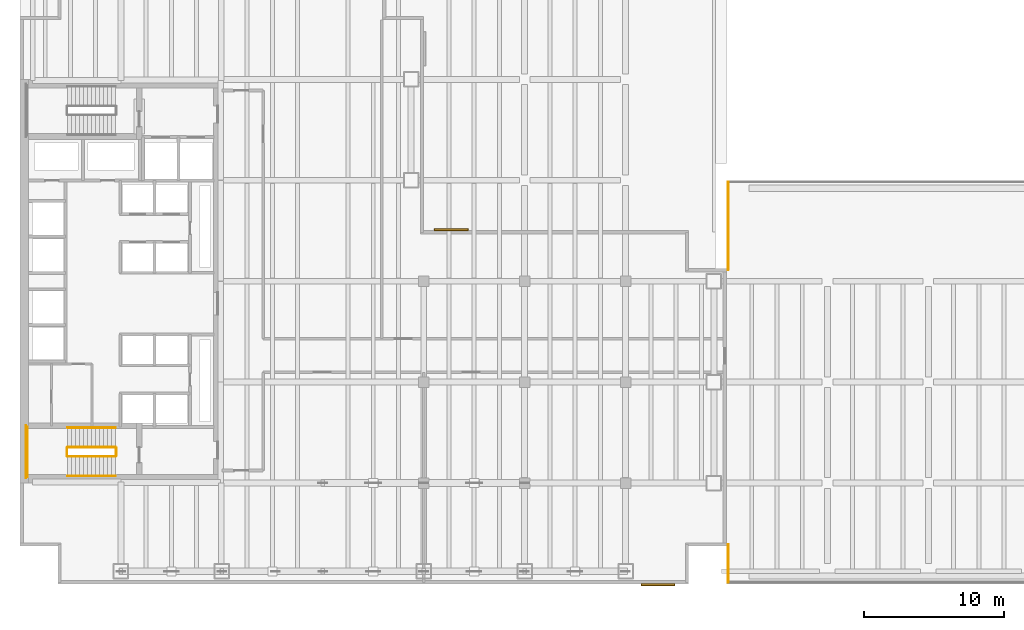
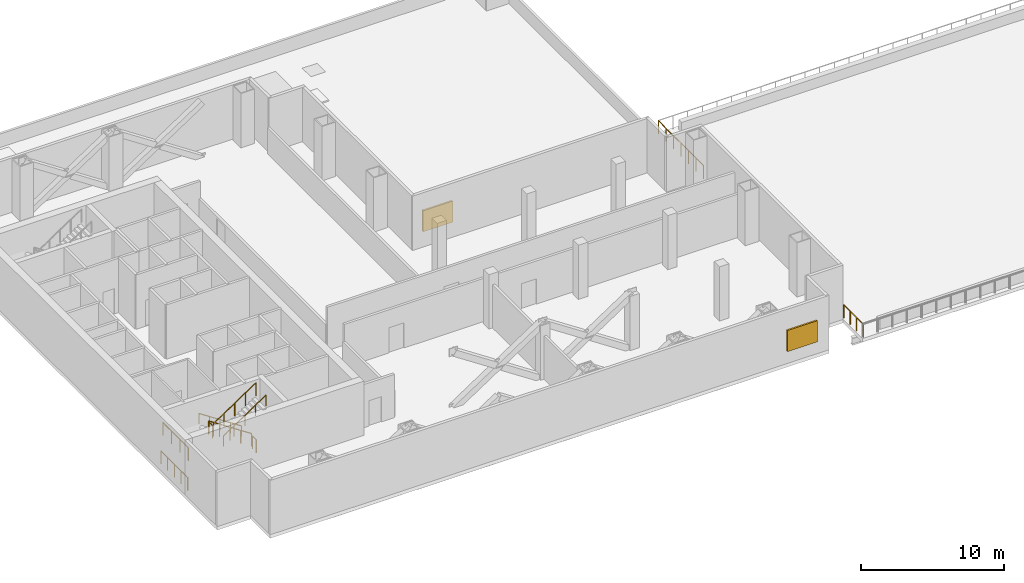
# One storey, part 10 of 12: 10 railings, 2 shading devices.
"""IFC4 building model written with IfcOpenShell, lengths in metres."""

from ifc_helpers import new_model, si_unit, direction, frame, origin, origin_2d, place, context, subcontext, project, spatial, polyline, circle, outline, extrude, material, layer, layer_set, type_object, element, save


model = new_model("IFC4")

# Units and contexts
model_context = context("Model", 3, precision=1e-05, world=origin(), true_north=direction((0.0, 1.0)))
body_context = subcontext(model_context, "Body", "Model", "MODEL_VIEW")
ifc_project = project(units=[si_unit("LENGTHUNIT", "METRE"), si_unit("AREAUNIT", "SQUARE_METRE"), si_unit("VOLUMEUNIT", "CUBIC_METRE"), si_unit("PLANEANGLEUNIT", "RADIAN"), si_unit("MASSUNIT", "GRAM", prefix="KILO")], contexts=[model_context])

# Site, building, storey
site_placement = place(None, origin())
site = spatial("IfcSite", under=ifc_project, at=site_placement, CompositionType="ELEMENT")
building_placement = place(site_placement, origin())
building = spatial("IfcBuilding", under=site, at=building_placement, Name="Cobrela Telecom Tower", CompositionType="ELEMENT")
storey_placement = place(building_placement, frame((0.0, 0.0, 26.25)))
storey = spatial("IfcBuildingStorey", under=building, at=storey_placement, Name="L06", CompositionType="ELEMENT", Elevation=26.25)

# Railings
ifc_material_1 = material(Name="Anodized Bronze Aluminium 6063-T6", Category="aluminium")
railing_type_1 = type_object("IfcRailingType", Name="RAIL-BAL-1150", PredefinedType="BALUSTRADE", material=ifc_material_1)
railing_1_placement = place(storey_placement, frame((50.52001953125, 2.820068359375, 0.0)))
element("IfcRailing", 1, at=railing_1_placement, inside=storey, type_object=railing_type_1, Name="L06 Outdoor Terrace Perimeter Balustrade POD-W2", PredefinedType="BALUSTRADE", context=body_context, shape_type="SweptSolid", body=[
    extrude(circle(Radius=0.02392578125, at=origin_2d()), frame((0.0, 0.0, 1.1259765625), z_axis=(0.0, -1.0, 0.0), x_axis=(1.0, 0.0, 0.0)), (0.0, 0.0, 1.0), 2.699951171875),
    extrude(circle(Radius=0.02099609375, at=origin_2d()), origin(), (0.0, 0.0, 1.0), 1.101806640625),
    extrude(circle(Radius=0.02099609375, at=origin_2d()), frame((0.0, -0.89990234375, 0.0)), (0.0, 0.0, 1.0), 1.101806640625),
    extrude(circle(Radius=0.02099609375, at=origin_2d()), frame((0.0, -1.800048828125, 0.0)), (0.0, 0.0, 1.0), 1.101806640625),
    extrude(circle(Radius=0.02099609375, at=origin_2d()), frame((0.0, -2.699951171875, 0.0)), (0.0, 0.0, 1.0), 1.101806640625),
])
railing_2_placement = place(storey_placement, frame((50.52001953125, 28.679931640625, 0.0)))
element("IfcRailing", 2, at=railing_2_placement, inside=storey, type_object=railing_type_1, Name="L06 Outdoor Terrace Perimeter Balustrade POD-W1", PredefinedType="BALUSTRADE", context=body_context, shape_type="SweptSolid", body=[
    extrude(circle(Radius=0.02392578125, at=origin_2d()), frame((0.0, 0.0, 1.1259765625), z_axis=(0.0, -1.0, 0.0), x_axis=(1.0, 0.0, 0.0)), (0.0, 0.0, 1.0), 6.280029296875),
    extrude(circle(Radius=0.02099609375, at=origin_2d()), origin(), (0.0, 0.0, 1.0), 1.101806640625),
    extrude(circle(Radius=0.02099609375, at=origin_2d()), frame((0.0, -1.046630859375, 0.0)), (0.0, 0.0, 1.0), 1.101806640625),
    extrude(circle(Radius=0.02099609375, at=origin_2d()), frame((0.0, -2.09326171875, 0.0)), (0.0, 0.0, 1.0), 1.101806640625),
    extrude(circle(Radius=0.02099609375, at=origin_2d()), frame((0.0, -3.14013671875, 0.0)), (0.0, 0.0, 1.0), 1.101806640625),
    extrude(circle(Radius=0.02099609375, at=origin_2d()), frame((0.0, -4.186767578125, 0.0)), (0.0, 0.0, 1.0), 1.101806640625),
    extrude(circle(Radius=0.02099609375, at=origin_2d()), frame((0.0, -5.2333984375, 0.0)), (0.0, 0.0, 1.0), 1.101806640625),
    extrude(circle(Radius=0.02099609375, at=origin_2d()), frame((0.0, -6.280029296875, 0.0)), (0.0, 0.0, 1.0), 1.101806640625),
])
ifc_material_2 = material(Name="Steel ASTM A36", Category="steel")
railing_type_2 = type_object("IfcRailingType", Name="RAIL-GUARD-1100", PredefinedType="GUARDRAIL", material=ifc_material_2)
railing_3_placement = place(storey_placement, frame((6.820068359375, 9.75, 0.1884765625)))
element("IfcRailing", 3, at=railing_3_placement, inside=storey, type_object=railing_type_2, Name="L06 ST2 stair guard 1", PredefinedType="GUARDRAIL", context=body_context, shape_type="SweptSolid", body=[
    extrude(circle(Radius=0.02392578125, at=origin_2d()), frame((0.0, 0.0, 1.076171875), z_axis=(-0.83414210066, 0.0, 0.551549595147), x_axis=(0.0, -1.0, 0.0)), (0.0, 0.0, 1.0), 4.100341796875),
    extrude(circle(Radius=0.02099609375, at=origin_2d()), origin(), (0.0, 0.0, 1.0), 1.052001953125),
    extrude(circle(Radius=0.02099609375, at=origin_2d()), frame((-0.85498046875, 0.0, 0.5654296875)), (0.0, 0.0, 1.0), 1.052001953125),
    extrude(circle(Radius=0.02099609375, at=origin_2d()), frame((-1.7099609375, 0.0, 1.130859375)), (0.0, 0.0, 1.0), 1.052001953125),
    extrude(circle(Radius=0.02099609375, at=origin_2d()), frame((-2.565185546875, 0.0, 1.696044921875)), (0.0, 0.0, 1.0), 1.052001953125),
    extrude(circle(Radius=0.02099609375, at=origin_2d()), frame((-3.420166015625, 0.0, 2.261474609375)), (0.0, 0.0, 1.0), 1.052001953125),
])
railing_4_placement = place(storey_placement, frame((3.35009765625, 9.699951171875, 2.449951171875)))
element("IfcRailing", 4, at=railing_4_placement, inside=storey, type_object=railing_type_2, Name="L06 ST2 stair guard 2", PredefinedType="GUARDRAIL", context=body_context, shape_type="SweptSolid", body=[
    extrude(circle(Radius=0.02392578125, at=origin_2d()), frame((0.0, 0.0, 1.076171875), z_axis=(0.0, -1.0, 0.0), x_axis=(1.0, 0.0, 0.0)), (0.0, 0.0, 1.0), 0.550048828125),
    extrude(circle(Radius=0.02099609375, at=origin_2d()), origin(), (0.0, 0.0, 1.0), 1.052001953125),
    extrude(circle(Radius=0.02099609375, at=origin_2d()), frame((0.0, -0.550048828125, 0.0)), (0.0, 0.0, 1.0), 1.052001953125),
])
railing_5_placement = place(storey_placement, frame((0.530029296875, 11.199951171875, 2.449951171875)))
element("IfcRailing", 5, at=railing_5_placement, inside=storey, type_object=railing_type_2, Name="L06 ST2 stair guard 3", PredefinedType="GUARDRAIL", context=body_context, shape_type="SweptSolid", body=[
    extrude(circle(Radius=0.02392578125, at=origin_2d()), frame((0.0, 0.0, 1.076171875), z_axis=(0.0, -1.0, 0.0), x_axis=(1.0, 0.0, 0.0)), (0.0, 0.0, 1.0), 3.550048828125),
    extrude(circle(Radius=0.02099609375, at=origin_2d()), origin(), (0.0, 0.0, 1.0), 1.052001953125),
    extrude(circle(Radius=0.02099609375, at=origin_2d()), frame((0.0, -1.183349609375, 0.0)), (0.0, 0.0, 1.0), 1.052001953125),
    extrude(circle(Radius=0.02099609375, at=origin_2d()), frame((0.0, -2.36669921875, 0.0)), (0.0, 0.0, 1.0), 1.052001953125),
    extrude(circle(Radius=0.02099609375, at=origin_2d()), frame((0.0, -3.550048828125, 0.0)), (0.0, 0.0, 1.0), 1.052001953125),
])
railing_6_placement = place(storey_placement, frame((3.39990234375, 9.10009765625, 2.638427734375)))
element("IfcRailing", 6, at=railing_6_placement, inside=storey, type_object=railing_type_2, Name="L06 ST2 stair guard 4", PredefinedType="GUARDRAIL", context=body_context, shape_type="SweptSolid", body=[
    extrude(circle(Radius=0.02392578125, at=origin_2d()), frame((0.0, 0.0, 1.076171875), z_axis=(0.83414210066, 0.0, 0.551549595147), x_axis=(0.0, 1.0, 0.0)), (0.0, 0.0, 1.0), 4.100341796875),
    extrude(circle(Radius=0.02099609375, at=origin_2d()), origin(), (0.0, 0.0, 1.0), 1.052001953125),
    extrude(circle(Radius=0.02099609375, at=origin_2d()), frame((0.85498046875, 0.0, 0.5654296875)), (0.0, 0.0, 1.0), 1.052001953125),
    extrude(circle(Radius=0.02099609375, at=origin_2d()), frame((1.7099609375, 0.0, 1.130859375)), (0.0, 0.0, 1.0), 1.052001953125),
    extrude(circle(Radius=0.02099609375, at=origin_2d()), frame((2.565185546875, 0.0, 1.696044921875)), (0.0, 0.0, 1.0), 1.052001953125),
    extrude(circle(Radius=0.02099609375, at=origin_2d()), frame((3.420166015625, 0.0, 2.261474609375)), (0.0, 0.0, 1.0), 1.052001953125),
])
railing_7_placement = place(storey_placement, frame((6.8701171875, 9.699951171875, 0.0)))
element("IfcRailing", 7, at=railing_7_placement, inside=storey, type_object=railing_type_2, Name="L06 ST2 stair guard 5", PredefinedType="GUARDRAIL", context=body_context, shape_type="SweptSolid", body=[
    extrude(circle(Radius=0.02392578125, at=origin_2d()), frame((0.0, 0.0, 1.076171875), z_axis=(0.0, -1.0, 0.0), x_axis=(1.0, 0.0, 0.0)), (0.0, 0.0, 1.0), 0.550048828125),
    extrude(circle(Radius=0.02099609375, at=origin_2d()), origin(), (0.0, 0.0, 1.0), 1.052001953125),
    extrude(circle(Radius=0.02099609375, at=origin_2d()), frame((0.0, -0.550048828125, 0.0)), (0.0, 0.0, 1.0), 1.052001953125),
])
railing_8_placement = place(storey_placement, frame((0.429931640625, 11.300048828125, 0.0)))
element("IfcRailing", 8, at=railing_8_placement, inside=storey, type_object=railing_type_2, Name="L06 ST2 stair guard 6", PredefinedType="GUARDRAIL", context=body_context, shape_type="SweptSolid", body=[
    extrude(circle(Radius=0.02392578125, at=origin_2d()), frame((0.0, 0.0, 1.076171875), z_axis=(0.0, -1.0, 0.0), x_axis=(1.0, 0.0, 0.0)), (0.0, 0.0, 1.0), 3.75),
    extrude(circle(Radius=0.02099609375, at=origin_2d()), origin(), (0.0, 0.0, 1.0), 1.052001953125),
    extrude(circle(Radius=0.02099609375, at=origin_2d()), frame((0.0, -0.9375, 0.0)), (0.0, 0.0, 1.0), 1.052001953125),
    extrude(circle(Radius=0.02099609375, at=origin_2d()), frame((0.0, -1.875, 0.0)), (0.0, 0.0, 1.0), 1.052001953125),
    extrude(circle(Radius=0.02099609375, at=origin_2d()), frame((0.0, -2.8125, 0.0)), (0.0, 0.0, 1.0), 1.052001953125),
    extrude(circle(Radius=0.02099609375, at=origin_2d()), frame((0.0, -3.75, 0.0)), (0.0, 0.0, 1.0), 1.052001953125),
])
railing_type_3 = type_object("IfcRailingType", Name="RAIL-HAND-920", PredefinedType="HANDRAIL", material=ifc_material_2)
railing_9_placement = place(storey_placement, frame((6.820068359375, 11.14990234375, 0.1884765625)))
element("IfcRailing", 9, at=railing_9_placement, inside=storey, type_object=railing_type_3, Name="L06 ST2 stair handrail 1", PredefinedType="HANDRAIL", context=body_context, shape_type="SweptSolid", body=[
    extrude(circle(Radius=0.02392578125, at=origin_2d()), frame((0.0, 0.0, 0.8759765625), z_axis=(-0.83414210066, 0.0, 0.551549595147), x_axis=(0.0, -1.0, 0.0)), (0.0, 0.0, 1.0), 4.100341796875),
    extrude(circle(Radius=0.02099609375, at=origin_2d()), origin(), (0.0, 0.0, 1.0), 0.851806640625),
    extrude(circle(Radius=0.02099609375, at=origin_2d()), frame((-0.85498046875, 0.0, 0.5654296875)), (0.0, 0.0, 1.0), 0.851806640625),
    extrude(circle(Radius=0.02099609375, at=origin_2d()), frame((-1.7099609375, 0.0, 1.130859375)), (0.0, 0.0, 1.0), 0.851806640625),
    extrude(circle(Radius=0.02099609375, at=origin_2d()), frame((-2.565185546875, 0.0, 1.696044921875)), (0.0, 0.0, 1.0), 0.851806640625),
    extrude(circle(Radius=0.02099609375, at=origin_2d()), frame((-3.420166015625, 0.0, 2.261474609375)), (0.0, 0.0, 1.0), 0.851806640625),
])
railing_10_placement = place(storey_placement, frame((3.39990234375, 7.699951171875, 2.638427734375)))
element("IfcRailing", 10, at=railing_10_placement, inside=storey, type_object=railing_type_3, Name="L06 ST2 stair handrail 2", PredefinedType="HANDRAIL", context=body_context, shape_type="SweptSolid", body=[
    extrude(circle(Radius=0.02392578125, at=origin_2d()), frame((0.0, 0.0, 0.8759765625), z_axis=(0.83414210066, 0.0, 0.551549595147), x_axis=(0.0, 1.0, 0.0)), (0.0, 0.0, 1.0), 4.100341796875),
    extrude(circle(Radius=0.02099609375, at=origin_2d()), origin(), (0.0, 0.0, 1.0), 0.851806640625),
    extrude(circle(Radius=0.02099609375, at=origin_2d()), frame((0.85498046875, 0.0, 0.5654296875)), (0.0, 0.0, 1.0), 0.851806640625),
    extrude(circle(Radius=0.02099609375, at=origin_2d()), frame((1.7099609375, 0.0, 1.130859375)), (0.0, 0.0, 1.0), 0.851806640625),
    extrude(circle(Radius=0.02099609375, at=origin_2d()), frame((2.565185546875, 0.0, 1.696044921875)), (0.0, 0.0, 1.0), 0.851806640625),
    extrude(circle(Radius=0.02099609375, at=origin_2d()), frame((3.420166015625, 0.0, 2.261474609375)), (0.0, 0.0, 1.0), 0.851806640625),
])

# Shading devices
ifc_layer = layer(ifc_material_1, 0.159912109375)
ifc_layer_set = layer_set([ifc_layer], Name="Anodized Bronze Aluminium 6063-T6")
shading_device_type = type_object("IfcShadingDeviceType", Name="SHD-LOUVRE-BRZ", PredefinedType="JALOUSIE", material=ifc_layer_set)
shading_device_1_placement = place(storey_placement, frame((0.0, 0.0, 1.10009765625)))
element("IfcShadingDevice", 11, at=shading_device_1_placement, inside=storey, type_object=shading_device_type, Name="L06 Acoustic Bronze Plant Louvre 03", PredefinedType="JALOUSIE", context=body_context, shape_type="SweptSolid", body=[
    extrude(outline(polyline([(29.56005859375, 25.18994140625), (31.9599609375, 25.18994140625), (31.9599609375, 25.330078125), (29.56005859375, 25.330078125), (29.56005859375, 25.18994140625)])), origin(), (0.0, 0.0, 1.0), 1.7998046875),
])
shading_device_2_placement = place(storey_placement, frame((0.0, 0.0, 1.10009765625)))
element("IfcShadingDevice", 12, at=shading_device_2_placement, inside=storey, type_object=shading_device_type, Name="L06 Acoustic Bronze Plant Louvre 04", PredefinedType="JALOUSIE", context=body_context, shape_type="SweptSolid", body=[
    extrude(outline(polyline([(46.699951171875, 0.010009765625), (44.300048828125, 0.010009765625), (44.300048828125, -0.1298828125), (46.699951171875, -0.1298828125), (46.699951171875, 0.010009765625)])), origin(), (0.0, 0.0, 1.0), 1.7998046875),
])

save(model, "model.ifc")
